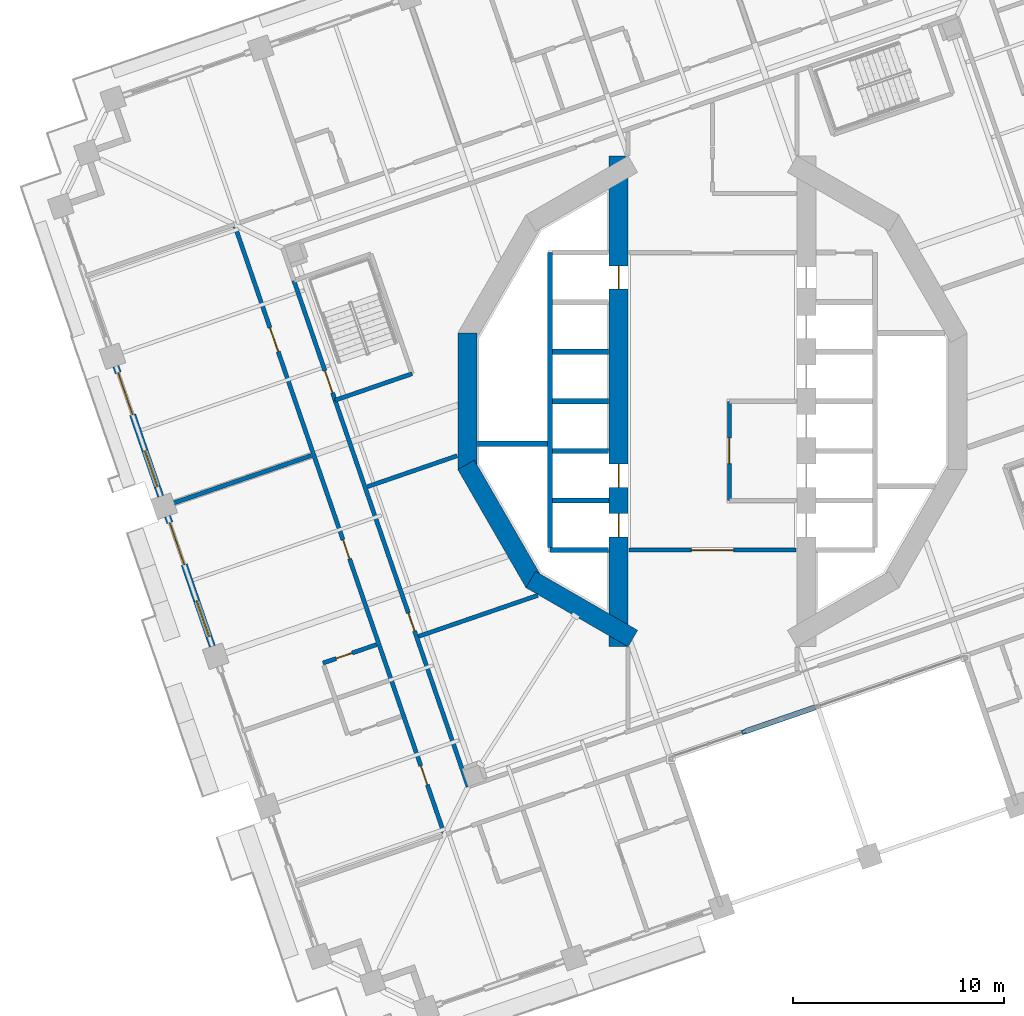
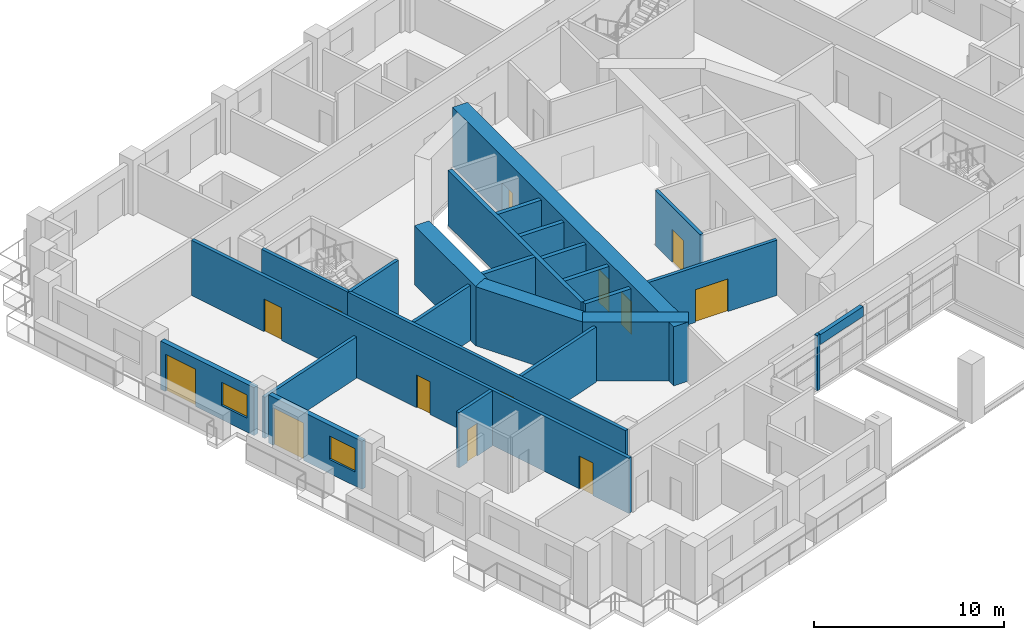
# One storey, part 9 of 22: 25 walls, 13 doors, 2 windows, 15 openings.
"""IFC4 building model written with IfcOpenShell, lengths in metres."""

from ifc_helpers import new_model, si_unit, direction, frame, frame_2d, origin, place, context, subcontext, project, spatial, rectangle, extrude, material, layer, layer_set, type_object, element, fill, save


model = new_model("IFC4")

# Units and contexts
model_context = context("Model", 3, precision=1e-05, world=origin(), true_north=direction((0.0, 1.0)))
body_context = subcontext(model_context, "Body", "Model", "MODEL_VIEW")
ifc_project = project(units=[si_unit("LENGTHUNIT", "METRE"), si_unit("AREAUNIT", "SQUARE_METRE"), si_unit("VOLUMEUNIT", "CUBIC_METRE"), si_unit("PLANEANGLEUNIT", "RADIAN"), si_unit("MASSUNIT", "GRAM", prefix="KILO")], contexts=[model_context])

# Site, building, storey
site_placement = place(None, origin())
site = spatial("IfcSite", under=ifc_project, at=site_placement, CompositionType="ELEMENT")
building_placement = place(site_placement, origin())
building = spatial("IfcBuilding", under=site, at=building_placement, Name="Cantera Rosa Tower", CompositionType="ELEMENT")
storey_placement = place(building_placement, frame((0.0, 0.0, 107.89990234375)))
storey = spatial("IfcBuildingStorey", under=building, at=storey_placement, Name="L21", CompositionType="ELEMENT", Elevation=107.89990234375)

# Wall, openings, doors
ifc_material_1 = material(Name="Gypsum board partition")
ifc_layer_1 = layer(ifc_material_1, 0.199951171875)
ifc_layer_set_1 = layer_set([ifc_layer_1], Name="CORRIDOR WALL 200 H3550")
wall_type_1 = type_object("IfcWallType", Name="CORRIDOR WALL 200 H3550", PredefinedType="PARTITIONING", material=ifc_layer_set_1)
wall_1_placement = place(storey_placement, frame((-22.6298828125, 8.28369140625, 0.0), z_axis=(0.0, 0.0, 1.0), x_axis=(0.325570542196, -0.945517753431, 0.0)))
wall_1 = element("IfcWall", 1, at=wall_1_placement, inside=storey, type_object=wall_type_1, Name="CORRIDOR WALL L21-002", PredefinedType="PARTITIONING", context=body_context, shape_type="SweptSolid", body=[
    extrude(rectangle(XDim=30.5, YDim=0.199951171875, at=frame_2d((15.25, 0.0))), origin(), (0.0, 0.0, 1.0), 3.550048828125),
])
opening_1_placement = place(wall_1_placement, frame((5.070068359375, 0.0, 0.0)))
opening_1 = element("IfcOpeningElement", 2, at=opening_1_placement, cuts=wall_1, Name="Opening L21-036", PredefinedType="OPENING", context=body_context, shape_type="SweptSolid", body=[
    extrude(rectangle(XDim=1.199951171875, YDim=2.10009765625, at=frame_2d((0.60009765625, 1.050048828125))), frame((0.0, 0.10986328125, 0.0), z_axis=(0.0, -1.0, 0.0), x_axis=(1.0, 0.0, 0.0)), (0.0, 0.0, 1.0), 0.219970703125),
])
opening_2_placement = place(wall_1_placement, frame((15.705078125, 0.0, 0.0)))
opening_2 = element("IfcOpeningElement", 3, at=opening_2_placement, cuts=wall_1, Name="Opening L21-037", PredefinedType="OPENING", context=body_context, shape_type="SweptSolid", body=[
    extrude(rectangle(XDim=0.949951171875, YDim=2.10009765625, at=frame_2d((0.47509765625, 1.050048828125))), frame((0.0, 0.10986328125, 0.0), z_axis=(0.0, -1.0, 0.0), x_axis=(1.0, 0.0, 0.0)), (0.0, 0.0, 1.0), 0.219970703125),
])
opening_3_placement = place(wall_1_placement, frame((27.034912109375, 0.0, 0.0)))
opening_3 = element("IfcOpeningElement", 4, at=opening_3_placement, cuts=wall_1, Name="Opening L21-039", PredefinedType="OPENING", context=body_context, shape_type="SweptSolid", body=[
    extrude(rectangle(XDim=0.949951171875, YDim=2.10009765625, at=frame_2d((0.47509765625, 1.050048828125))), frame((0.0, 0.10986328125, 0.0), z_axis=(0.0, -1.0, 0.0), x_axis=(1.0, 0.0, 0.0)), (0.0, 0.0, 1.0), 0.219970703125),
])
ifc_material_2 = material(Name="Timber door leaf", Category="wood")
door_type_1 = type_object("IfcDoorType", Name="ROOM DOOR 1200x2100", OperationType="NOTDEFINED", PredefinedType="DOOR", material=ifc_material_2)
door_1_placement = place(opening_1_placement, origin())
door_1 = element("IfcDoor", 5, at=door_1_placement, inside=storey, type_object=door_type_1, Name="DOOR L21-036", OperationType="NOTDEFINED", OverallHeight=2.10009765625, OverallWidth=1.199951171875, PredefinedType="DOOR", context=body_context, shape_type="SweptSolid", body=[
    extrude(rectangle(XDim=1.199951171875, YDim=2.10009765625, at=frame_2d((0.60009765625, 1.050048828125))), frame((0.0, 0.02490234375, 0.0), z_axis=(0.0, -1.0, 0.0), x_axis=(1.0, 0.0, 0.0)), (0.0, 0.0, 1.0), 0.050048828125),
])
fill(opening_1, door_1)
ifc_material_3 = material(Name="Timber door leaf", Category="wood")
door_type_2 = type_object("IfcDoorType", Name="ROOM DOOR 950x2100", OperationType="NOTDEFINED", PredefinedType="DOOR", material=ifc_material_3)
door_2_placement = place(opening_2_placement, origin())
door_2 = element("IfcDoor", 6, at=door_2_placement, inside=storey, type_object=door_type_2, Name="DOOR L21-037", OperationType="NOTDEFINED", OverallHeight=2.10009765625, OverallWidth=0.949951171875, PredefinedType="DOOR", context=body_context, shape_type="SweptSolid", body=[
    extrude(rectangle(XDim=0.949951171875, YDim=2.10009765625, at=frame_2d((0.47509765625, 1.050048828125))), frame((0.0, 0.02490234375, 0.0), z_axis=(0.0, -1.0, 0.0), x_axis=(1.0, 0.0, 0.0)), (0.0, 0.0, 1.0), 0.050048828125),
])
fill(opening_2, door_2)
door_3_placement = place(opening_3_placement, origin())
door_3 = element("IfcDoor", 7, at=door_3_placement, inside=storey, type_object=door_type_2, Name="DOOR L21-039", OperationType="NOTDEFINED", OverallHeight=2.10009765625, OverallWidth=0.949951171875, PredefinedType="DOOR", context=body_context, shape_type="SweptSolid", body=[
    extrude(rectangle(XDim=0.949951171875, YDim=2.10009765625, at=frame_2d((0.47509765625, 1.050048828125))), frame((0.0, 0.02490234375, 0.0), z_axis=(0.0, -1.0, 0.0), x_axis=(1.0, 0.0, 0.0)), (0.0, 0.0, 1.0), 0.050048828125),
])
fill(opening_3, door_3)

# Wall, opening, door
wall_2_placement = place(storey_placement, frame((-17.8916015625, 0.05126953125, 0.0), z_axis=(0.0, 0.0, 1.0), x_axis=(0.325580537834, -0.94551431157, 0.0)))
wall_2 = element("IfcWall", 8, at=wall_2_placement, inside=storey, type_object=wall_type_1, Name="CORRIDOR WALL L21-014", PredefinedType="PARTITIONING", context=body_context, shape_type="SweptSolid", body=[
    extrude(rectangle(XDim=19.37353515625, YDim=0.199951171875, at=frame_2d((9.686767578125, 0.0))), origin(), (0.0, 0.0, 1.0), 3.550048828125),
])
opening_4_placement = place(wall_2_placement, frame((10.67333984375, 0.0, 0.0)))
opening_4 = element("IfcOpeningElement", 9, at=opening_4_placement, cuts=wall_2, Name="Opening L21-006", PredefinedType="OPENING", context=body_context, shape_type="SweptSolid", body=[
    extrude(rectangle(XDim=0.89990234375, YDim=2.10009765625, at=frame_2d((0.449951171875, 1.050048828125))), frame((0.0, 0.10986328125, 0.0), z_axis=(0.0, -1.0, 0.0), x_axis=(1.0, 0.0, 0.0)), (0.0, 0.0, 1.0), 0.219970703125),
])
ifc_material_4 = material(Name="Timber door leaf", Category="wood")
door_type_3 = type_object("IfcDoorType", Name="SERVICE DOOR 900x2100", OperationType="NOTDEFINED", PredefinedType="DOOR", material=ifc_material_4)
door_4_placement = place(opening_4_placement, origin())
door_4 = element("IfcDoor", 10, at=door_4_placement, inside=storey, type_object=door_type_3, Name="DOOR L21-006", OperationType="NOTDEFINED", OverallHeight=2.10009765625, OverallWidth=0.89990234375, PredefinedType="DOOR", context=body_context, shape_type="SweptSolid", body=[
    extrude(rectangle(XDim=0.89990234375, YDim=2.10009765625, at=frame_2d((0.449951171875, 1.050048828125))), frame((0.0, 0.02490234375, 0.0), z_axis=(0.0, -1.0, 0.0), x_axis=(1.0, 0.0, 0.0)), (0.0, 0.0, 1.0), 0.050048828125),
])
fill(opening_4, door_4)

# Wall
wall_3_placement = place(storey_placement, frame((1.39111328125, -15.70263671875, 0.0), z_axis=(0.0, 0.0, 1.0), x_axis=(0.945359603561, 0.326029477127, 0.0)))
element("IfcWall", 11, at=wall_3_placement, inside=storey, type_object=wall_type_1, Name="CORRIDOR WALL L21-021", PredefinedType="PARTITIONING", context=body_context, shape_type="SweptSolid", body=[
    extrude(rectangle(XDim=0.19384765625, YDim=0.199951171875, at=frame_2d((0.096923828125, 0.0))), origin(), (0.0, 0.0, 1.0), 3.550048828125),
])

# Wall, opening, door
wall_4_placement = place(storey_placement, frame((3.969970703125, -7.050048828125, 0.0), z_axis=(0.0, 0.0, 1.0), x_axis=(-1.0, 0.0, 0.0)))
wall_4 = element("IfcWall", 12, at=wall_4_placement, inside=storey, type_object=wall_type_1, Name="CORRIDOR WALL L21-062", PredefinedType="PARTITIONING", context=body_context, shape_type="SweptSolid", body=[
    extrude(rectangle(XDim=7.93994140625, YDim=0.199951171875, at=frame_2d((3.969970703125, 0.0))), origin(), (0.0, 0.0, 1.0), 3.550048828125),
])
opening_5_placement = place(wall_4_placement, frame((2.969970703125, 0.0, 0.0)))
opening_5 = element("IfcOpeningElement", 13, at=opening_5_placement, cuts=wall_4, Name="Opening L21-013", PredefinedType="OPENING", context=body_context, shape_type="SweptSolid", body=[
    extrude(rectangle(XDim=2.0, YDim=2.10009765625, at=frame_2d((1.0, 1.050048828125))), frame((0.0, 0.10986328125, 0.0), z_axis=(0.0, -1.0, 0.0), x_axis=(1.0, 0.0, 0.0)), (0.0, 0.0, 1.0), 0.219970703125),
])
ifc_material_5 = material(Name="Steel S355J2 (EN 10025-2)", Category="steel")
door_type_4 = type_object("IfcDoorType", Name="LOBBY SCREEN DOOR 2000x2100", OperationType="NOTDEFINED", PredefinedType="DOOR", material=ifc_material_5)
door_5_placement = place(opening_5_placement, origin())
door_5 = element("IfcDoor", 14, at=door_5_placement, inside=storey, type_object=door_type_4, Name="DOOR L21-013", OperationType="NOTDEFINED", OverallHeight=2.10009765625, OverallWidth=2.0, PredefinedType="DOOR", context=body_context, shape_type="SweptSolid", body=[
    extrude(rectangle(XDim=2.0, YDim=2.10009765625, at=frame_2d((1.0, 1.050048828125))), frame((0.0, 0.02490234375, 0.0), z_axis=(0.0, -1.0, 0.0), x_axis=(1.0, 0.0, 0.0)), (0.0, 0.0, 1.0), 0.050048828125),
])
fill(opening_5, door_5)

# Wall, openings, window, door
ifc_material_6 = material(Name="Hollow clay masonry with cantera stone cladding", Category="masonry")
ifc_layer_2 = layer(ifc_material_6, 0.300048828125)
ifc_layer_set_2 = layer_set([ifc_layer_2], Name="EW-LOGGIA 300 H3090")
wall_type_2 = type_object("IfcWallType", Name="EW-LOGGIA 300 H3090", PredefinedType="SOLIDWALL", material=ifc_layer_set_2)
wall_5_placement = place(storey_placement, frame((-28.2822265625, 1.662841796875, 0.0), z_axis=(0.0, 0.0, 1.0), x_axis=(0.325580990241, -0.945514155787, 0.0)))
wall_5 = element("IfcWall", 15, at=wall_5_placement, inside=storey, type_object=wall_type_2, Name="EN-L21-W17", PredefinedType="SOLIDWALL", context=body_context, shape_type="SweptSolid", body=[
    extrude(rectangle(XDim=6.52001953125, YDim=0.300048828125, at=frame_2d((3.260009765625, 0.0))), origin(), (0.0, 0.0, 1.0), 3.090087890625),
])
opening_6_placement = place(wall_5_placement, frame((0.330078125, 0.0, 0.0)))
opening_6 = element("IfcOpeningElement", 16, at=opening_6_placement, cuts=wall_5, Name="Opening L21-TD25", PredefinedType="OPENING", context=body_context, shape_type="SweptSolid", body=[
    extrude(rectangle(XDim=2.10009765625, YDim=2.39990234375, at=frame_2d((1.050048828125, 1.199951171875))), frame((0.0, 0.159912109375, 0.0), z_axis=(0.0, -1.0, 0.0), x_axis=(1.0, 0.0, 0.0)), (0.0, 0.0, 1.0), 0.320068359375),
])
opening_7_placement = place(wall_5_placement, frame((4.239990234375, 0.0, 0.89990234375)))
opening_7 = element("IfcOpeningElement", 17, at=opening_7_placement, cuts=wall_5, Name="Opening L21-W26", PredefinedType="OPENING", context=body_context, shape_type="SweptSolid", body=[
    extrude(rectangle(XDim=1.800048828125, YDim=1.5, at=frame_2d((0.89990234375, 0.75))), frame((0.0, 0.159912109375, 0.0), z_axis=(0.0, -1.0, 0.0), x_axis=(1.0, 0.0, 0.0)), (0.0, 0.0, 1.0), 0.320068359375),
])
ifc_material_7 = material(Name="Aluminium frame with clear glass", Category="aluminium")
window_type = type_object("IfcWindowType", Name="Hotel room window 1800x1500", PartitioningType="DOUBLE_PANEL_VERTICAL", PredefinedType="WINDOW", material=ifc_material_7)
window_1_placement = place(opening_7_placement, origin())
window_1 = element("IfcWindow", 18, at=window_1_placement, inside=storey, type_object=window_type, Name="WINDOW L21-W26", OverallHeight=1.5, OverallWidth=1.800048828125, PartitioningType="SINGLE_PANEL", PredefinedType="WINDOW", context=body_context, shape_type="SweptSolid", body=[
    extrude(rectangle(XDim=1.800048828125, YDim=1.5, at=frame_2d((0.89990234375, 0.75))), frame((0.0, 0.030029296875, 0.0), z_axis=(0.0, -1.0, 0.0), x_axis=(1.0, 0.0, 0.0)), (0.0, 0.0, 1.0), 0.06005859375),
])
fill(opening_7, window_1)
ifc_material_8 = material(Name="Aluminium frame with clear glass", Category="aluminium")
door_type_5 = type_object("IfcDoorType", Name="TD-H 2100x2400", OperationType="NOTDEFINED", PredefinedType="DOOR", material=ifc_material_8)
door_6_placement = place(opening_6_placement, origin())
door_6 = element("IfcDoor", 19, at=door_6_placement, inside=storey, type_object=door_type_5, Name="LOGGIA DOOR L21-TD25", OperationType="SLIDING_TO_LEFT", OverallHeight=2.39990234375, OverallWidth=2.10009765625, PredefinedType="DOOR", context=body_context, shape_type="SweptSolid", body=[
    extrude(rectangle(XDim=2.10009765625, YDim=2.39990234375, at=frame_2d((1.050048828125, 1.199951171875))), frame((0.0, 0.02490234375, 0.0), z_axis=(0.0, -1.0, 0.0), x_axis=(1.0, 0.0, 0.0)), (0.0, 0.0, 1.0), 0.050048828125),
])
fill(opening_6, door_6)

wall_6_placement = place(storey_placement, frame((-25.833984375, -5.447509765625, 0.0), z_axis=(0.0, 0.0, 1.0), x_axis=(0.325580990241, -0.945514155787, 0.0)))
wall_6 = element("IfcWall", 20, at=wall_6_placement, inside=storey, type_object=wall_type_2, Name="EN-L21-W18", PredefinedType="SOLIDWALL", context=body_context, shape_type="SweptSolid", body=[
    extrude(rectangle(XDim=6.52001953125, YDim=0.300048828125, at=frame_2d((3.260009765625, 0.0))), origin(), (0.0, 0.0, 1.0), 3.090087890625),
])
opening_8_placement = place(wall_6_placement, frame((0.330078125, 0.0, 0.0)))
opening_8 = element("IfcOpeningElement", 21, at=opening_8_placement, cuts=wall_6, Name="Opening L21-TD27", PredefinedType="OPENING", context=body_context, shape_type="SweptSolid", body=[
    extrude(rectangle(XDim=2.10009765625, YDim=2.39990234375, at=frame_2d((1.050048828125, 1.199951171875))), frame((0.0, 0.159912109375, 0.0), z_axis=(0.0, -1.0, 0.0), x_axis=(1.0, 0.0, 0.0)), (0.0, 0.0, 1.0), 0.320068359375),
])
opening_9_placement = place(wall_6_placement, frame((4.239990234375, 0.0, 0.89990234375)))
opening_9 = element("IfcOpeningElement", 22, at=opening_9_placement, cuts=wall_6, Name="Opening L21-W28", PredefinedType="OPENING", context=body_context, shape_type="SweptSolid", body=[
    extrude(rectangle(XDim=1.800048828125, YDim=1.5, at=frame_2d((0.89990234375, 0.75))), frame((0.0, 0.159912109375, 0.0), z_axis=(0.0, -1.0, 0.0), x_axis=(1.0, 0.0, 0.0)), (0.0, 0.0, 1.0), 0.320068359375),
])
window_2_placement = place(opening_9_placement, origin())
window_2 = element("IfcWindow", 23, at=window_2_placement, inside=storey, type_object=window_type, Name="WINDOW L21-W28", OverallHeight=1.5, OverallWidth=1.800048828125, PartitioningType="SINGLE_PANEL", PredefinedType="WINDOW", context=body_context, shape_type="SweptSolid", body=[
    extrude(rectangle(XDim=1.800048828125, YDim=1.5, at=frame_2d((0.89990234375, 0.75))), frame((0.0, 0.030029296875, 0.0), z_axis=(0.0, -1.0, 0.0), x_axis=(1.0, 0.0, 0.0)), (0.0, 0.0, 1.0), 0.06005859375),
])
fill(opening_9, window_2)
door_7_placement = place(opening_8_placement, origin())
door_7 = element("IfcDoor", 24, at=door_7_placement, inside=storey, type_object=door_type_5, Name="LOGGIA DOOR L21-TD27", OperationType="SLIDING_TO_LEFT", OverallHeight=2.39990234375, OverallWidth=2.10009765625, PredefinedType="DOOR", context=body_context, shape_type="SweptSolid", body=[
    extrude(rectangle(XDim=2.10009765625, YDim=2.39990234375, at=frame_2d((1.050048828125, 1.199951171875))), frame((0.0, 0.02490234375, 0.0), z_axis=(0.0, -1.0, 0.0), x_axis=(1.0, 0.0, 0.0)), (0.0, 0.0, 1.0), 0.050048828125),
])
fill(opening_8, door_7)

# Wall
ifc_material_9 = material(Name="Hollow clay masonry with cantera stone cladding", Category="masonry")
ifc_layer_3 = layer(ifc_material_9, 0.25)
ifc_layer_set_3 = layer_set([ifc_layer_3], Name="EW-POCKET REAR 250")
wall_type_3 = type_object("IfcWallType", Name="EW-POCKET REAR 250", PredefinedType="SOLIDWALL", material=ifc_layer_set_3)
wall_7_placement = place(storey_placement, frame((1.574462890625, -15.639404296875, 2.8681640625), z_axis=(0.0, 0.0, 1.0), x_axis=(0.94551947433, 0.325565544343, 0.0)))
element("IfcWall", 25, at=wall_7_placement, inside=storey, type_object=wall_type_3, Name="POCKET SPANDREL L21-2", PredefinedType="SOLIDWALL", context=body_context, shape_type="SweptSolid", body=[
    extrude(rectangle(XDim=3.468994140625, YDim=0.25, at=frame_2d((1.734375, 0.0))), origin(), (0.0, 0.0, 1.0), 0.6318359375),
])

# Wall, opening, door
ifc_material_10 = material(Name="Gypsum board partition")
ifc_layer_4 = layer(ifc_material_10, 0.199951171875)
ifc_layer_set_4 = layer_set([ifc_layer_4], Name="PARTITION 200 H3550")
wall_type_4 = type_object("IfcWallType", Name="PARTITION 200 H3550", PredefinedType="PARTITIONING", material=ifc_layer_set_4)
wall_8_placement = place(storey_placement, frame((-18.46630859375, -12.408203125, 0.0), z_axis=(0.0, 0.0, 1.0), x_axis=(0.94551230217, 0.325586373249, 0.0)))
wall_8 = element("IfcWall", 26, at=wall_8_placement, inside=storey, type_object=wall_type_4, Name="PARTITION L21-011", PredefinedType="PARTITIONING", context=body_context, shape_type="SweptSolid", body=[
    extrude(rectangle(XDim=2.679931640625, YDim=0.199951171875, at=frame_2d((1.33984375, 0.0))), origin(), (0.0, 0.0, 1.0), 3.550048828125),
])
opening_10_placement = place(wall_8_placement, frame((0.6640625, 0.0, 0.0)))
opening_10 = element("IfcOpeningElement", 27, at=opening_10_placement, cuts=wall_8, Name="Opening L21-038", PredefinedType="OPENING", context=body_context, shape_type="SweptSolid", body=[
    extrude(rectangle(XDim=0.800048828125, YDim=2.10009765625, at=frame_2d((0.39990234375, 1.050048828125))), frame((0.0, 0.10986328125, 0.0), z_axis=(0.0, -1.0, 0.0), x_axis=(1.0, 0.0, 0.0)), (0.0, 0.0, 1.0), 0.219970703125),
])
ifc_material_11 = material(Name="Timber door leaf", Category="wood")
door_type_6 = type_object("IfcDoorType", Name="BATHROOM DOOR 800x2100", OperationType="NOTDEFINED", PredefinedType="DOOR", material=ifc_material_11)
door_8_placement = place(opening_10_placement, origin())
door_8 = element("IfcDoor", 28, at=door_8_placement, inside=storey, type_object=door_type_6, Name="DOOR L21-038", OperationType="NOTDEFINED", OverallHeight=2.10009765625, OverallWidth=0.800048828125, PredefinedType="DOOR", context=body_context, shape_type="SweptSolid", body=[
    extrude(rectangle(XDim=0.800048828125, YDim=2.10009765625, at=frame_2d((0.39990234375, 1.050048828125))), frame((0.0, 0.02490234375, 0.0), z_axis=(0.0, -1.0, 0.0), x_axis=(1.0, 0.0, 0.0)), (0.0, 0.0, 1.0), 0.050048828125),
])
fill(opening_10, door_8)

# Walls
wall_9_placement = place(storey_placement, frame((-12.10400390625, -2.581298828125, 0.0), z_axis=(0.0, 0.0, 1.0), x_axis=(-0.945508534203, -0.325597315328, 0.0)))
element("IfcWall", 29, at=wall_9_placement, inside=storey, type_object=wall_type_4, Name="PARTITION L21-025", PredefinedType="PARTITIONING", context=body_context, shape_type="SweptSolid", body=[
    extrude(rectangle(XDim=4.4951171875, YDim=0.199951171875, at=frame_2d((2.24755859375, 0.0))), origin(), (0.0, 0.0, 1.0), 3.550048828125),
])
wall_10_placement = place(storey_placement, frame((-8.279296875, -9.196533203125, 0.0), z_axis=(0.0, 0.0, 1.0), x_axis=(-0.945525220819, -0.325548854699, 0.0)))
element("IfcWall", 30, at=wall_10_placement, inside=storey, type_object=wall_type_4, Name="PARTITION L21-033", PredefinedType="PARTITIONING", context=body_context, shape_type="SweptSolid", body=[
    extrude(rectangle(XDim=5.977783203125, YDim=0.199951171875, at=frame_2d((2.98876953125, 0.0))), origin(), (0.0, 0.0, 1.0), 3.550048828125),
])
ifc_material_12 = material(Name="Gypsum board partition")
ifc_layer_5 = layer(ifc_material_12, 0.199951171875)
ifc_layer_set_5 = layer_set([ifc_layer_5], Name="PARTY WALL 200 H2650")
wall_type_5 = type_object("IfcWallType", Name="PARTY WALL 200 H2650", PredefinedType="PARTITIONING", material=ifc_layer_set_5)
wall_11_placement = place(storey_placement, frame((-19.018798828125, -2.572021484375, 0.0), z_axis=(0.0, 0.0, 1.0), x_axis=(-0.945514790731, -0.325579146306, 0.0)))
element("IfcWall", 31, at=wall_11_placement, inside=storey, type_object=wall_type_5, Name="PARTY WALL L21-010", PredefinedType="PARTITIONING", context=body_context, shape_type="SweptSolid", body=[
    extrude(rectangle(XDim=7.35009765625, YDim=0.199951171875, at=frame_2d((3.675048828125, 0.0))), origin(), (0.0, 0.0, 1.0), 2.650146484375),
])
ifc_material_13 = material(Name="Concrete C70/85", Category="concrete")
ifc_layer_6 = layer(ifc_material_13, 0.89990234375)
ifc_layer_set_6 = layer_set([ifc_layer_6], Name="RC CORE WALL 900 C70/85")
wall_type_6 = type_object("IfcWallType", Name="RC CORE WALL 900 C70/85", PredefinedType="SHEAR", material=ifc_layer_set_6)
wall_12_placement = place(storey_placement, frame((-3.77490234375, -11.242919921875, 0.0), z_axis=(0.0, 0.0, 1.0), x_axis=(-0.866026961591, 0.49999730179, 0.0)))
element("IfcWall", 32, at=wall_12_placement, inside=storey, type_object=wall_type_6, Name="CW-W1 L21", PredefinedType="SHEAR", context=body_context, shape_type="SweptSolid", body=[
    extrude(rectangle(XDim=5.58740234375, YDim=0.89990234375, at=frame_2d((2.793701171875, 0.0))), origin(), (0.0, 0.0, 1.0), 3.800048828125),
])
wall_13_placement = place(storey_placement, frame((-8.44921875, -8.61376953125, 0.0), z_axis=(0.0, 0.0, 1.0), x_axis=(-0.499990282633, 0.866031014036, 0.0)))
element("IfcWall", 33, at=wall_13_placement, inside=storey, type_object=wall_type_6, Name="CW-W2 L21", PredefinedType="SHEAR", context=body_context, shape_type="SweptSolid", body=[
    extrude(rectangle(XDim=6.470458984375, YDim=0.89990234375, at=frame_2d((3.2353515625, 0.0))), origin(), (0.0, 0.0, 1.0), 3.800048828125),
])
wall_14_placement = place(storey_placement, frame((-11.6240234375, -3.2353515625, 0.0), z_axis=(0.0, 0.0, 1.0), x_axis=(0.0, 1.0, 0.0)))
element("IfcWall", 34, at=wall_14_placement, inside=storey, type_object=wall_type_6, Name="CW-W3 L21", PredefinedType="SHEAR", context=body_context, shape_type="SweptSolid", body=[
    extrude(rectangle(XDim=6.470703125, YDim=0.89990234375, at=frame_2d((3.2353515625, 0.0))), origin(), (0.0, 0.0, 1.0), 3.800048828125),
])

# Wall, openings, doors
wall_15_placement = place(storey_placement, frame((-4.449951171875, 11.632568359375, 0.0), z_axis=(0.0, 0.0, 1.0), x_axis=(0.0, -1.0, 0.0)))
wall_15 = element("IfcWall", 35, at=wall_15_placement, inside=storey, type_object=wall_type_6, Name="CW-W6 L21", PredefinedType="SHEAR", context=body_context, shape_type="SweptSolid", body=[
    extrude(rectangle(XDim=23.26513671875, YDim=0.89990234375, at=frame_2d((11.632568359375, 0.0))), origin(), (0.0, 0.0, 1.0), 3.800048828125),
])
opening_11_placement = place(wall_15_placement, frame((14.607421875, 0.0, 0.0)))
opening_11 = element("IfcOpeningElement", 36, at=opening_11_placement, cuts=wall_15, Name="Opening LD-P3-L21", PredefinedType="OPENING", context=body_context, shape_type="SweptSolid", body=[
    extrude(rectangle(XDim=1.10009765625, YDim=2.10009765625, at=frame_2d((0.550048828125, 1.050048828125))), frame((0.0, 0.4599609375, 0.0), z_axis=(0.0, -1.0, 0.0), x_axis=(1.0, 0.0, 0.0)), (0.0, 0.0, 1.0), 0.919921875),
])
opening_12_placement = place(wall_15_placement, frame((16.95751953125, 0.0, 0.0)))
opening_12 = element("IfcOpeningElement", 37, at=opening_12_placement, cuts=wall_15, Name="Opening LD-P4-L21", PredefinedType="OPENING", context=body_context, shape_type="SweptSolid", body=[
    extrude(rectangle(XDim=1.10009765625, YDim=2.10009765625, at=frame_2d((0.550048828125, 1.050048828125))), frame((0.0, 0.4599609375, 0.0), z_axis=(0.0, -1.0, 0.0), x_axis=(1.0, 0.0, 0.0)), (0.0, 0.0, 1.0), 0.919921875),
])
opening_13_placement = place(wall_15_placement, frame((5.20751953125, 0.0, 0.0)))
opening_13 = element("IfcOpeningElement", 38, at=opening_13_placement, cuts=wall_15, Name="Opening LD-P5-L21", PredefinedType="OPENING", context=body_context, shape_type="SweptSolid", body=[
    extrude(rectangle(XDim=1.10009765625, YDim=2.10009765625, at=frame_2d((0.550048828125, 1.050048828125))), frame((0.0, 0.4599609375, 0.0), z_axis=(0.0, -1.0, 0.0), x_axis=(1.0, 0.0, 0.0)), (0.0, 0.0, 1.0), 0.919921875),
])
ifc_material_14 = material(Name="Steel S355J2 (EN 10025-2)", Category="steel")
door_type_7 = type_object("IfcDoorType", Name="LANDING DOOR 1100x2100", OperationType="NOTDEFINED", PredefinedType="DOOR", material=ifc_material_14)
door_9_placement = place(opening_11_placement, origin())
door_9 = element("IfcDoor", 39, at=door_9_placement, inside=storey, type_object=door_type_7, Name="LANDING DOOR P3 L21", OperationType="SLIDING_TO_LEFT", OverallHeight=2.10009765625, OverallWidth=1.10009765625, PredefinedType="DOOR", context=body_context, shape_type="SweptSolid", body=[
    extrude(rectangle(XDim=1.10009765625, YDim=2.10009765625, at=frame_2d((0.550048828125, 1.050048828125))), frame((0.0, 0.02490234375, 0.0), z_axis=(0.0, -1.0, 0.0), x_axis=(1.0, 0.0, 0.0)), (0.0, 0.0, 1.0), 0.050048828125),
])
fill(opening_11, door_9)
door_10_placement = place(opening_12_placement, origin())
door_10 = element("IfcDoor", 40, at=door_10_placement, inside=storey, type_object=door_type_7, Name="LANDING DOOR P4 L21", OperationType="SLIDING_TO_LEFT", OverallHeight=2.10009765625, OverallWidth=1.10009765625, PredefinedType="DOOR", context=body_context, shape_type="SweptSolid", body=[
    extrude(rectangle(XDim=1.10009765625, YDim=2.10009765625, at=frame_2d((0.550048828125, 1.050048828125))), frame((0.0, 0.02490234375, 0.0), z_axis=(0.0, -1.0, 0.0), x_axis=(1.0, 0.0, 0.0)), (0.0, 0.0, 1.0), 0.050048828125),
])
fill(opening_12, door_10)
door_11_placement = place(opening_13_placement, origin())
door_11 = element("IfcDoor", 41, at=door_11_placement, inside=storey, type_object=door_type_7, Name="LANDING DOOR P5 L21", OperationType="SLIDING_TO_LEFT", OverallHeight=2.10009765625, OverallWidth=1.10009765625, PredefinedType="DOOR", context=body_context, shape_type="SweptSolid", body=[
    extrude(rectangle(XDim=1.10009765625, YDim=2.10009765625, at=frame_2d((0.550048828125, 1.050048828125))), frame((0.0, 0.02490234375, 0.0), z_axis=(0.0, -1.0, 0.0), x_axis=(1.0, 0.0, 0.0)), (0.0, 0.0, 1.0), 0.050048828125),
])
fill(opening_13, door_11)

# Walls
ifc_material_15 = material(Name="Masonry blockwork", Category="masonry")
ifc_layer_7 = layer(ifc_material_15, 0.25)
ifc_layer_set_7 = layer_set([ifc_layer_7], Name="SHAFT WALL 250 H3550")
wall_type_7 = type_object("IfcWallType", Name="SHAFT WALL 250 H3550", PredefinedType="SOLIDWALL", material=ifc_layer_set_7)
wall_16_placement = place(storey_placement, frame((-11.14404296875, -2.0146484375, 0.0), z_axis=(0.0, 0.0, 1.0), x_axis=(1.0, 0.0, 0.0)))
element("IfcWall", 42, at=wall_16_placement, inside=storey, type_object=wall_type_7, Name="SHAFT WALL L21-028", PredefinedType="SOLIDWALL", context=body_context, shape_type="SweptSolid", body=[
    extrude(rectangle(XDim=3.319091796875, YDim=0.25, at=frame_2d((1.65966796875, 0.0))), origin(), (0.0, 0.0, 1.0), 3.550048828125),
])
wall_17_placement = place(storey_placement, frame((-7.699951171875, -7.050048828125, 0.0), z_axis=(0.0, 0.0, 1.0), x_axis=(1.0, 0.0, 0.0)))
element("IfcWall", 43, at=wall_17_placement, inside=storey, type_object=wall_type_7, Name="SHAFT WALL L21-035", PredefinedType="SOLIDWALL", context=body_context, shape_type="SweptSolid", body=[
    extrude(rectangle(XDim=2.77001953125, YDim=0.25, at=frame_2d((1.385009765625, 0.0))), origin(), (0.0, 0.0, 1.0), 3.550048828125),
])
wall_18_placement = place(storey_placement, frame((-7.574951171875, -4.699951171875, 0.0), z_axis=(0.0, 0.0, 1.0), x_axis=(1.0, 0.0, 0.0)))
element("IfcWall", 44, at=wall_18_placement, inside=storey, type_object=wall_type_7, Name="SHAFT WALL L21-036", PredefinedType="SOLIDWALL", context=body_context, shape_type="SweptSolid", body=[
    extrude(rectangle(XDim=2.675048828125, YDim=0.25, at=frame_2d((1.33740234375, 0.0))), origin(), (0.0, 0.0, 1.0), 3.550048828125),
])
for number, where, z_axis, x_axis, name in (
    (45, (-7.574951171875, -2.35009765625, 0.0), (0.0, 0.0, 1.0), (1.0, 0.0, 0.0), "SHAFT WALL L21-037"),
    (46, (-7.574951171875, 0.0, 0.0), (0.0, 0.0, 1.0), (1.0, 0.0, 0.0), "SHAFT WALL L21-038"),
    (47, (-7.574951171875, 2.35009765625, 0.0), (0.0, 0.0, 1.0), (1.0, 0.0, 0.0), "SHAFT WALL L21-039"),
):
    element("IfcWall", number, at=place(storey_placement, frame(where, z_axis=z_axis, x_axis=x_axis)), inside=storey, type_object=wall_type_7, Name=name, PredefinedType="SOLIDWALL", context=body_context, shape_type="SweptSolid", body=[
        extrude(rectangle(XDim=2.64501953125, YDim=0.25, at=frame_2d((1.322509765625, 0.0))), origin(), (0.0, 0.0, 1.0), 3.550048828125),
    ])
wall_19_placement = place(storey_placement, frame((-7.699951171875, 7.050048828125, 0.0), z_axis=(0.0, 0.0, 1.0), x_axis=(0.0, -1.0, 0.0)))
element("IfcWall", 48, at=wall_19_placement, inside=storey, type_object=wall_type_7, Name="SHAFT WALL L21-041", PredefinedType="SOLIDWALL", context=body_context, shape_type="SweptSolid", body=[
    extrude(rectangle(XDim=13.97998046875, YDim=0.25, at=frame_2d((6.989990234375, 0.0))), origin(), (0.0, 0.0, 1.0), 3.550048828125),
])

# Wall, opening, door
ifc_material_16 = material(Name="Concrete C50/60", Category="concrete")
ifc_layer_8 = layer(ifc_material_16, 0.199951171875)
ifc_layer_set_8 = layer_set([ifc_layer_8], Name="STAIR WALL 200 H3550")
wall_type_8 = type_object("IfcWallType", Name="STAIR WALL 200 H3550", PredefinedType="SOLIDWALL", material=ifc_layer_set_8)
wall_20_placement = place(storey_placement, frame((-19.844970703125, 5.724365234375, 0.0), z_axis=(0.0, 0.0, 1.0), x_axis=(0.325563034341, -0.945520338581, 0.0)))
wall_20 = element("IfcWall", 49, at=wall_20_placement, inside=storey, type_object=wall_type_8, Name="STAIR WALL L21-006", PredefinedType="SOLIDWALL", context=body_context, shape_type="SweptSolid", body=[
    extrude(rectangle(XDim=6.0, YDim=0.199951171875, at=frame_2d((3.0, 0.0))), origin(), (0.0, 0.0, 1.0), 3.550048828125),
])
opening_14_placement = place(wall_20_placement, frame((4.52490234375, 0.0, 0.0)))
opening_14 = element("IfcOpeningElement", 50, at=opening_14_placement, cuts=wall_20, Name="Opening L21-002", PredefinedType="OPENING", context=body_context, shape_type="SweptSolid", body=[
    extrude(rectangle(XDim=1.10009765625, YDim=2.10009765625, at=frame_2d((0.550048828125, 1.050048828125))), frame((0.0, 0.10986328125, 0.0), z_axis=(0.0, -1.0, 0.0), x_axis=(1.0, 0.0, 0.0)), (0.0, 0.0, 1.0), 0.219970703125),
])
ifc_material_17 = material(Name="Steel S355J2 (EN 10025-2)", Category="steel")
door_type_8 = type_object("IfcDoorType", Name="STAIR DOOR 1100x2100", OperationType="NOTDEFINED", PredefinedType="DOOR", material=ifc_material_17)
door_12_placement = place(opening_14_placement, origin())
door_12 = element("IfcDoor", 51, at=door_12_placement, inside=storey, type_object=door_type_8, Name="DOOR L21-002", OperationType="NOTDEFINED", OverallHeight=2.10009765625, OverallWidth=1.10009765625, PredefinedType="DOOR", context=body_context, shape_type="SweptSolid", body=[
    extrude(rectangle(XDim=1.10009765625, YDim=2.10009765625, at=frame_2d((0.550048828125, 1.050048828125))), frame((0.0, 0.02490234375, 0.0), z_axis=(0.0, -1.0, 0.0), x_axis=(1.0, 0.0, 0.0)), (0.0, 0.0, 1.0), 0.050048828125),
])
fill(opening_14, door_12)

# Wall
wall_21_placement = place(storey_placement, frame((-17.8916015625, 0.05126953125, 0.0), z_axis=(0.0, 0.0, 1.0), x_axis=(0.945514621213, 0.325579638603, 0.0)))
element("IfcWall", 52, at=wall_21_placement, inside=storey, type_object=wall_type_8, Name="STAIR WALL L21-013", PredefinedType="SOLIDWALL", context=body_context, shape_type="SweptSolid", body=[
    extrude(rectangle(XDim=3.862548828125, YDim=0.199951171875, at=frame_2d((1.93115234375, 0.0))), origin(), (0.0, 0.0, 1.0), 3.550048828125),
])

# Wall, opening, door
wall_22_placement = place(storey_placement, frame((0.800048828125, -4.699951171875, 0.0), z_axis=(0.0, 0.0, 1.0), x_axis=(0.0, 1.0, 0.0)))
wall_22 = element("IfcWall", 53, at=wall_22_placement, inside=storey, type_object=wall_type_8, Name="STAIR WALL L21-059", PredefinedType="SOLIDWALL", context=body_context, shape_type="SweptSolid", body=[
    extrude(rectangle(XDim=4.699951171875, YDim=0.199951171875, at=frame_2d((2.35009765625, 0.0))), origin(), (0.0, 0.0, 1.0), 3.550048828125),
])
opening_15_placement = place(wall_22_placement, frame((1.75, 0.0, 0.0)))
opening_15 = element("IfcOpeningElement", 54, at=opening_15_placement, cuts=wall_22, Name="Opening L21-014", PredefinedType="OPENING", context=body_context, shape_type="SweptSolid", body=[
    extrude(rectangle(XDim=1.199951171875, YDim=2.10009765625, at=frame_2d((0.60009765625, 1.050048828125))), frame((0.0, 0.10986328125, 0.0), z_axis=(0.0, -1.0, 0.0), x_axis=(1.0, 0.0, 0.0)), (0.0, 0.0, 1.0), 0.219970703125),
])
ifc_material_18 = material(Name="Steel S355J2 (EN 10025-2)", Category="steel")
door_type_9 = type_object("IfcDoorType", Name="FIRE DOOR 1200x2100", OperationType="NOTDEFINED", PredefinedType="DOOR", material=ifc_material_18)
door_13_placement = place(opening_15_placement, origin())
door_13 = element("IfcDoor", 55, at=door_13_placement, inside=storey, type_object=door_type_9, Name="DOOR L21-014", OperationType="NOTDEFINED", OverallHeight=2.10009765625, OverallWidth=1.199951171875, PredefinedType="DOOR", context=body_context, shape_type="SweptSolid", body=[
    extrude(rectangle(XDim=1.199951171875, YDim=2.10009765625, at=frame_2d((0.60009765625, 1.050048828125))), frame((0.0, 0.02490234375, 0.0), z_axis=(0.0, -1.0, 0.0), x_axis=(1.0, 0.0, 0.0)), (0.0, 0.0, 1.0), 0.050048828125),
])
fill(opening_15, door_13)

save(model, "model.ifc")
